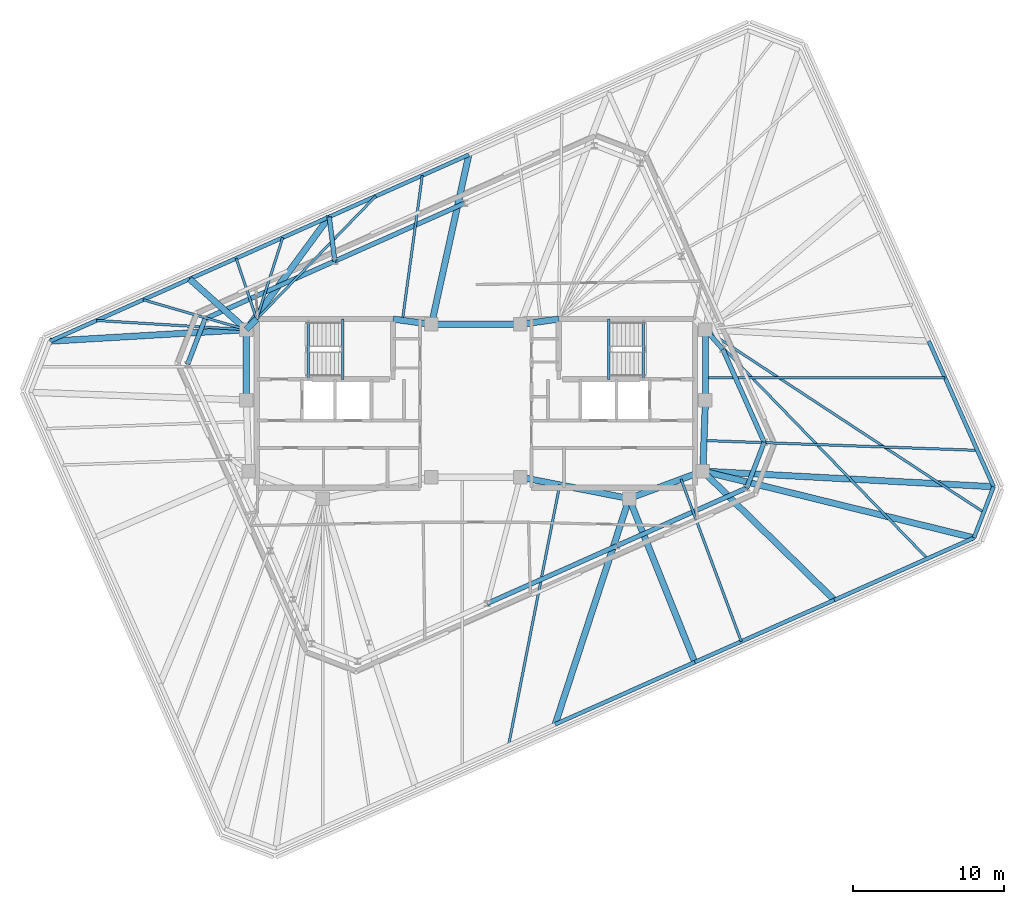
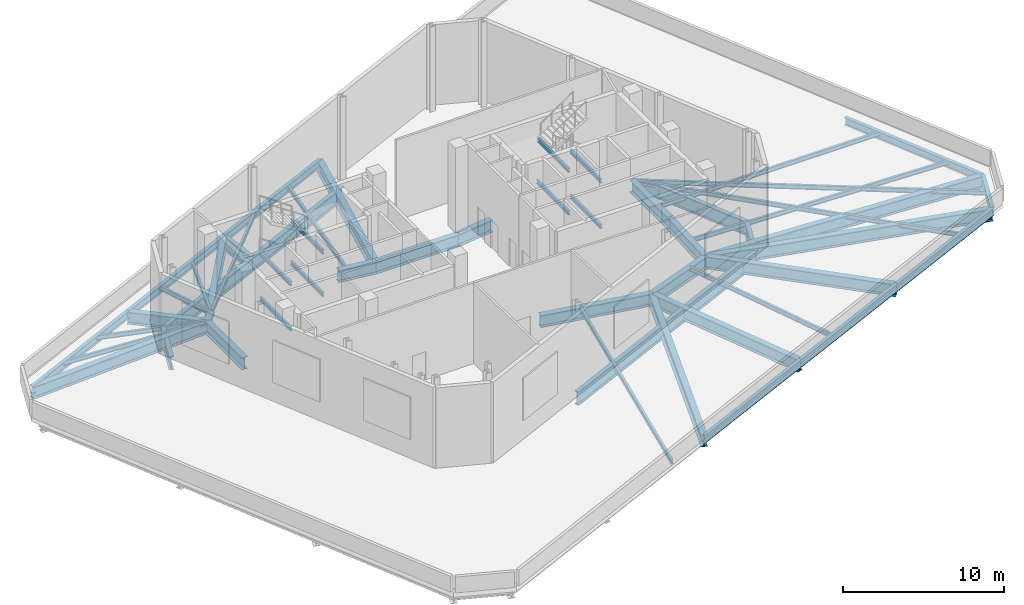
# One storey, part 5 of 10: 55 beams.
"""IFC4 building model written with IfcOpenShell, lengths in metres."""

from ifc_helpers import new_model, si_unit, direction, frame, origin, origin_2d, place, context, subcontext, project, spatial, i_section, extrude, material, material_profile, profile_set, type_object, element, save


model = new_model("IFC4")

# Units and contexts
model_context = context("Model", 3, precision=1e-05, world=origin(), true_north=direction((0.0, 1.0)))
body_context = subcontext(model_context, "Body", "Model", "MODEL_VIEW")
ifc_project = project(units=[si_unit("LENGTHUNIT", "METRE"), si_unit("AREAUNIT", "SQUARE_METRE"), si_unit("VOLUMEUNIT", "CUBIC_METRE"), si_unit("PLANEANGLEUNIT", "RADIAN"), si_unit("MASSUNIT", "GRAM", prefix="KILO")], contexts=[model_context])

# Site, building, storey
site_placement = place(None, origin())
site = spatial("IfcSite", under=ifc_project, at=site_placement, CompositionType="ELEMENT")
building_placement = place(site_placement, origin())
building = spatial("IfcBuilding", under=site, at=building_placement, Name="Menara Jurai Vektor", CompositionType="ELEMENT")
storey_placement = place(building_placement, frame((0.0, 0.0, 305.550048828125)))
storey = spatial("IfcBuildingStorey", under=building, at=storey_placement, Name="L82", CompositionType="ELEMENT", Elevation=305.550048828125)

# Beams
ifc_material_1 = material(Name="Steel S460", Category="steel")
ifc_material_profile_1 = material_profile(ifc_material_1, i_section(OverallWidth=0.30908203125, OverallDepth=1.035888671875, WebThickness=0.030029296875, FlangeThickness=0.053955078125, FilletRadius=0.030029296875, at=origin_2d()), Name="UKB 1016x305x487")
ifc_profile_set_1 = profile_set([ifc_material_profile_1], Name="Steel S460")
beam_type_1 = type_object("IfcBeamType", Name="STR-BM-TR1016", PredefinedType="BEAM", material=ifc_profile_set_1)
beam_1_placement = place(storey_placement, frame((0.7548828125, -13.2919921875, -0.923095703125), z_axis=(0.913546682407, 0.406733892198, 0.0), x_axis=(-0.406733892198, 0.913546682407, 0.0)))
element("IfcBeam", 1, at=beam_1_placement, inside=storey, type_object=beam_type_1, Name="Drum Base Transfer Ring Girder 02", PredefinedType="BEAM", context=body_context, shape_type="SweptSolid", body=[
    extrude(i_section(OverallWidth=0.30908203125, OverallDepth=1.035888671875, WebThickness=0.030029296875, FlangeThickness=0.053955078125, FilletRadius=0.030029296875, at=origin_2d()), origin(), (0.0, 0.0, 1.0), 9.43359375),
])
beam_2_placement = place(storey_placement, frame((9.372802734375, -9.455078125, -0.923095703125), z_axis=(0.913552017411, 0.406721909276, 0.0), x_axis=(-0.406721909276, 0.913552017411, 0.0)))
element("IfcBeam", 2, at=beam_2_placement, inside=storey, type_object=beam_type_1, Name="Drum Base Transfer Ring Girder 03", PredefinedType="BEAM", context=body_context, shape_type="SweptSolid", body=[
    extrude(i_section(OverallWidth=0.30908203125, OverallDepth=1.035888671875, WebThickness=0.030029296875, FlangeThickness=0.053955078125, FilletRadius=0.030029296875, at=origin_2d()), origin(), (0.0, 0.0, 1.0), 9.43310546875),
])
beam_3_placement = place(storey_placement, frame((17.990478515625, -5.618408203125, -0.923095703125), z_axis=(0.358400601676, 0.933567891863, 0.0), x_axis=(-0.933567891863, 0.358400601676, 0.0)))
element("IfcBeam", 3, at=beam_3_placement, inside=storey, type_object=beam_type_1, Name="Drum Base Transfer Ring Girder 04", PredefinedType="BEAM", context=body_context, shape_type="SweptSolid", body=[
    extrude(i_section(OverallWidth=0.30908203125, OverallDepth=1.035888671875, WebThickness=0.030029296875, FlangeThickness=0.053955078125, FilletRadius=0.030029296875, at=origin_2d()), origin(), (0.0, 0.0, 1.0), 3.252685546875),
])
beam_4_placement = place(storey_placement, frame((19.15625, -2.581787109375, -0.923095703125), z_axis=(-0.406747616829, 0.913540571734, 0.0), x_axis=(-0.913540571734, -0.406747616829, 0.0)))
element("IfcBeam", 4, at=beam_4_placement, inside=storey, type_object=beam_type_1, Name="Drum Base Transfer Ring Girder 05", PredefinedType="BEAM", context=body_context, shape_type="SweptSolid", body=[
    extrude(i_section(OverallWidth=0.30908203125, OverallDepth=1.035888671875, WebThickness=0.030029296875, FlangeThickness=0.053955078125, FilletRadius=0.030029296875, at=origin_2d()), origin(), (0.0, 0.0, 1.0), 6.766845703125),
])
beam_5_placement = place(storey_placement, frame((16.40380859375, 3.60009765625, -0.923095703125), z_axis=(-0.663857997221, 0.747858649429, 0.0), x_axis=(-0.747858649429, -0.663857997221, 0.0)))
element("IfcBeam", 5, at=beam_5_placement, inside=storey, type_object=beam_type_1, Name="Drum Transfer Girder 06", PredefinedType="BEAM", context=body_context, shape_type="SweptSolid", body=[
    extrude(i_section(OverallWidth=0.30908203125, OverallDepth=1.035888671875, WebThickness=0.030029296875, FlangeThickness=0.053955078125, FilletRadius=0.030029296875, at=origin_2d()), origin(), (0.0, 0.0, 1.0), 1.738037109375),
])
beam_6_placement = place(storey_placement, frame((-0.7548828125, 13.2919921875, -0.923095703125), z_axis=(-0.913546682407, -0.406733892198, 0.0), x_axis=(0.406733892198, -0.913546682407, 0.0)))
element("IfcBeam", 6, at=beam_6_placement, inside=storey, type_object=beam_type_1, Name="Drum Base Transfer Ring Girder 10", PredefinedType="BEAM", context=body_context, shape_type="SweptSolid", body=[
    extrude(i_section(OverallWidth=0.30908203125, OverallDepth=1.035888671875, WebThickness=0.030029296875, FlangeThickness=0.053955078125, FilletRadius=0.030029296875, at=origin_2d()), origin(), (0.0, 0.0, 1.0), 9.43359375),
])
beam_7_placement = place(storey_placement, frame((-9.372802734375, 9.455078125, -0.923095703125), z_axis=(-0.913552017411, -0.406721909276, 0.0), x_axis=(0.406721909276, -0.913552017411, 0.0)))
element("IfcBeam", 7, at=beam_7_placement, inside=storey, type_object=beam_type_1, Name="Drum Base Transfer Ring Girder 11", PredefinedType="BEAM", context=body_context, shape_type="SweptSolid", body=[
    extrude(i_section(OverallWidth=0.30908203125, OverallDepth=1.035888671875, WebThickness=0.030029296875, FlangeThickness=0.053955078125, FilletRadius=0.030029296875, at=origin_2d()), origin(), (0.0, 0.0, 1.0), 9.43310546875),
])
beam_8_placement = place(storey_placement, frame((-9.372802734375, 9.455078125, -0.923095703125), z_axis=(-0.12445116912, 0.992225733644, 0.0), x_axis=(-0.992225733644, -0.12445116912, 0.0)))
element("IfcBeam", 8, at=beam_8_placement, inside=storey, type_object=beam_type_1, Name="Drum Transfer Girder 11", PredefinedType="BEAM", context=body_context, shape_type="SweptSolid", body=[
    extrude(i_section(OverallWidth=0.30908203125, OverallDepth=1.035888671875, WebThickness=0.030029296875, FlangeThickness=0.053955078125, FilletRadius=0.030029296875, at=origin_2d()), origin(), (0.0, 0.0, 1.0), 2.958251953125),
])
beam_9_placement = place(storey_placement, frame((-17.990478515625, 5.618408203125, -0.923095703125), z_axis=(-0.358400601676, -0.933567891863, 0.0), x_axis=(0.933567891863, -0.358400601676, 0.0)))
element("IfcBeam", 9, at=beam_9_placement, inside=storey, type_object=beam_type_1, Name="Drum Base Transfer Ring Girder 12", PredefinedType="BEAM", context=body_context, shape_type="SweptSolid", body=[
    extrude(i_section(OverallWidth=0.30908203125, OverallDepth=1.035888671875, WebThickness=0.030029296875, FlangeThickness=0.053955078125, FilletRadius=0.030029296875, at=origin_2d()), origin(), (0.0, 0.0, 1.0), 3.252685546875),
])
ifc_material_profile_2 = material_profile(ifc_material_1, i_section(OverallWidth=0.4208984375, OverallDepth=0.9208984375, WebThickness=0.02099609375, FlangeThickness=0.037109375, FilletRadius=0.02392578125, at=origin_2d()), Name="UKB 914x419x388")
ifc_profile_set_2 = profile_set([ifc_material_profile_2], Name="Steel S460")
beam_type_2 = type_object("IfcBeamType", Name="STR-BM-TR914", PredefinedType="BEAM", material=ifc_profile_set_2)
beam_10_placement = place(storey_placement, frame((-15.25, 4.89990234375, -0.865478515625), z_axis=(0.701871936926, 0.712303154672, 0.0), x_axis=(-0.712303154672, 0.701871936926, 0.0)))
element("IfcBeam", 10, at=beam_10_placement, inside=storey, type_object=beam_type_2, Name="Core Ring Header Girder L82-CHW-N1", PredefinedType="BEAM", context=body_context, shape_type="SweptSolid", body=[
    extrude(i_section(OverallWidth=0.4208984375, OverallDepth=0.9208984375, WebThickness=0.02099609375, FlangeThickness=0.037109375, FilletRadius=0.02392578125, at=origin_2d()), origin(), (0.0, 0.0, 1.0), 0.98291015625),
])
beam_11_placement = place(storey_placement, frame((-5.5, 5.60009765625, -0.865478515625), z_axis=(0.990706818608, -0.136014703483, 0.0), x_axis=(0.136014703483, 0.990706818608, 0.0)))
element("IfcBeam", 11, at=beam_11_placement, inside=storey, type_object=beam_type_2, Name="Core Ring Header Girder L82-CHW-N2", PredefinedType="BEAM", context=body_context, shape_type="SweptSolid", body=[
    extrude(i_section(OverallWidth=0.4208984375, OverallDepth=0.9208984375, WebThickness=0.02099609375, FlangeThickness=0.037109375, FilletRadius=0.02392578125, at=origin_2d()), origin(), (0.0, 0.0, 1.0), 2.573974609375),
])
beam_12_placement = place(storey_placement, frame((-15.25, 0.219970703125, -0.865478515625), z_axis=(0.0, 1.0, 0.0), x_axis=(-1.0, 0.0, 0.0)))
element("IfcBeam", 12, at=beam_12_placement, inside=storey, type_object=beam_type_2, Name="Core Ring Header Girder L82-CHW-W1", PredefinedType="BEAM", context=body_context, shape_type="SweptSolid", body=[
    extrude(i_section(OverallWidth=0.4208984375, OverallDepth=0.9208984375, WebThickness=0.02099609375, FlangeThickness=0.037109375, FilletRadius=0.02392578125, at=origin_2d()), origin(), (0.0, 0.0, 1.0), 4.679931640625),
])
beam_13_placement = place(storey_placement, frame((2.949951171875, 5.25, -0.865478515625), z_axis=(0.990706818608, 0.136014703483, 0.0), x_axis=(-0.136014703483, 0.990706818608, 0.0)))
element("IfcBeam", 13, at=beam_13_placement, inside=storey, type_object=beam_type_2, Name="Core Ring Header Girder L82-CHE-N1", PredefinedType="BEAM", context=body_context, shape_type="SweptSolid", body=[
    extrude(i_section(OverallWidth=0.4208984375, OverallDepth=0.9208984375, WebThickness=0.02099609375, FlangeThickness=0.037109375, FilletRadius=0.02392578125, at=origin_2d()), origin(), (0.0, 0.0, 1.0), 2.573974609375),
])
beam_14_placement = place(storey_placement, frame((15.25, 0.219970703125, -0.865478515625), z_axis=(0.0, 1.0, 0.0), x_axis=(-1.0, 0.0, 0.0)))
element("IfcBeam", 14, at=beam_14_placement, inside=storey, type_object=beam_type_2, Name="Core Ring Header Girder L82-CHE-E1", PredefinedType="BEAM", context=body_context, shape_type="SweptSolid", body=[
    extrude(i_section(OverallWidth=0.4208984375, OverallDepth=0.9208984375, WebThickness=0.02099609375, FlangeThickness=0.037109375, FilletRadius=0.02392578125, at=origin_2d()), origin(), (0.0, 0.0, 1.0), 4.679931640625),
])
beam_15_placement = place(storey_placement, frame((15.080078125, -4.5, -0.865478515625), z_axis=(0.035977314146, 0.999352606874, 0.0), x_axis=(-0.999352606874, 0.035977314146, 0.0)))
element("IfcBeam", 15, at=beam_15_placement, inside=storey, type_object=beam_type_2, Name="Core Ring Header Girder L82-CHE-E2", PredefinedType="BEAM", context=body_context, shape_type="SweptSolid", body=[
    extrude(i_section(OverallWidth=0.4208984375, OverallDepth=0.9208984375, WebThickness=0.02099609375, FlangeThickness=0.037109375, FilletRadius=0.02392578125, at=origin_2d()), origin(), (0.0, 0.0, 1.0), 4.72314453125),
])
beam_16_placement = place(storey_placement, frame((10.179931640625, -6.320068359375, -0.865478515625), z_axis=(0.937424400887, 0.348188874925, 0.0), x_axis=(-0.348188874925, 0.937424400887, 0.0)))
element("IfcBeam", 16, at=beam_16_placement, inside=storey, type_object=beam_type_2, Name="Core Ring Header Girder L82-CHE-S1", PredefinedType="BEAM", context=body_context, shape_type="SweptSolid", body=[
    extrude(i_section(OverallWidth=0.4208984375, OverallDepth=0.9208984375, WebThickness=0.02099609375, FlangeThickness=0.037109375, FilletRadius=0.02392578125, at=origin_2d()), origin(), (0.0, 0.0, 1.0), 5.227294921875),
])
beam_17_placement = place(storey_placement, frame((2.949951171875, -4.89990234375, -0.865478515625), z_axis=(0.981249044334, -0.192744164614, 0.0), x_axis=(0.192744164614, 0.981249044334, 0.0)))
element("IfcBeam", 17, at=beam_17_placement, inside=storey, type_object=beam_type_2, Name="Core Ring Header Girder L82-CHE-S2", PredefinedType="BEAM", context=body_context, shape_type="SweptSolid", body=[
    extrude(i_section(OverallWidth=0.4208984375, OverallDepth=0.9208984375, WebThickness=0.02099609375, FlangeThickness=0.037109375, FilletRadius=0.02392578125, at=origin_2d()), origin(), (0.0, 0.0, 1.0), 7.3681640625),
])
beam_18_placement = place(storey_placement, frame((-2.949951171875, 5.25, -0.865478515625), z_axis=(1.0, 0.0, 0.0), x_axis=(0.0, 1.0, 0.0)))
element("IfcBeam", 18, at=beam_18_placement, inside=storey, type_object=beam_type_2, Name="Core Ring Header Girder L82-CC-2", PredefinedType="BEAM", context=body_context, shape_type="SweptSolid", body=[
    extrude(i_section(OverallWidth=0.4208984375, OverallDepth=0.9208984375, WebThickness=0.02099609375, FlangeThickness=0.037109375, FilletRadius=0.02392578125, at=origin_2d()), origin(), (0.0, 0.0, 1.0), 5.89990234375),
])
beam_19_placement = place(storey_placement, frame((5.267578125, -21.3193359375, -0.865478515625), z_axis=(0.311239486704, 0.950331511587, 0.0), x_axis=(-0.950331511587, 0.311239486704, 0.0)))
element("IfcBeam", 19, at=beam_19_placement, inside=storey, type_object=beam_type_2, Name="Drum Transfer Girder L82-S3", PredefinedType="BEAM", context=body_context, shape_type="SweptSolid", body=[
    extrude(i_section(OverallWidth=0.4208984375, OverallDepth=0.9208984375, WebThickness=0.02099609375, FlangeThickness=0.037109375, FilletRadius=0.02392578125, at=origin_2d()), origin(), (0.0, 0.0, 1.0), 15.783203125),
])
beam_20_placement = place(storey_placement, frame((14.541015625, -17.1904296875, -0.865478515625), z_axis=(-0.372342852726, 0.928095253745, 0.0), x_axis=(-0.928095253745, -0.372342852726, 0.0)))
element("IfcBeam", 20, at=beam_20_placement, inside=storey, type_object=beam_type_2, Name="Drum Transfer Girder L82-S4", PredefinedType="BEAM", context=body_context, shape_type="SweptSolid", body=[
    extrude(i_section(OverallWidth=0.4208984375, OverallDepth=0.9208984375, WebThickness=0.02099609375, FlangeThickness=0.037109375, FilletRadius=0.02392578125, at=origin_2d()), origin(), (0.0, 0.0, 1.0), 11.712646484375),
])
beam_21_placement = place(storey_placement, frame((23.814697265625, -13.061767578125, -0.865478515625), z_axis=(-0.714137598149, 0.70000535063, 0.0), x_axis=(-0.70000535063, -0.714137598149, 0.0)))
element("IfcBeam", 21, at=beam_21_placement, inside=storey, type_object=beam_type_2, Name="Drum Transfer Girder L82-S5", PredefinedType="BEAM", context=body_context, shape_type="SweptSolid", body=[
    extrude(i_section(OverallWidth=0.4208984375, OverallDepth=0.9208984375, WebThickness=0.02099609375, FlangeThickness=0.037109375, FilletRadius=0.02392578125, at=origin_2d()), origin(), (0.0, 0.0, 1.0), 12.23095703125),
])
beam_22_placement = place(storey_placement, frame((33.088134765625, -8.932861328125, -0.865478515625), z_axis=(-0.971013515776, 0.239024584888, 0.0), x_axis=(-0.239024584888, -0.971013515776, 0.0)))
element("IfcBeam", 22, at=beam_22_placement, inside=storey, type_object=beam_type_2, Name="Drum Transfer Girder L82-S6", PredefinedType="BEAM", context=body_context, shape_type="SweptSolid", body=[
    extrude(i_section(OverallWidth=0.4208984375, OverallDepth=0.9208984375, WebThickness=0.02099609375, FlangeThickness=0.037109375, FilletRadius=0.02392578125, at=origin_2d()), origin(), (0.0, 0.0, 1.0), 18.545654296875),
])
beam_23_placement = place(storey_placement, frame((34.3916015625, -5.536865234375, -0.865478515625), z_axis=(-0.998561718759, 0.053614306189, 0.0), x_axis=(-0.053614306189, -0.998561718759, 0.0)))
element("IfcBeam", 23, at=beam_23_placement, inside=storey, type_object=beam_type_2, Name="Drum Transfer Girder L82-E1", PredefinedType="BEAM", context=body_context, shape_type="SweptSolid", body=[
    extrude(i_section(OverallWidth=0.4208984375, OverallDepth=0.9208984375, WebThickness=0.02099609375, FlangeThickness=0.037109375, FilletRadius=0.02392578125, at=origin_2d()), origin(), (0.0, 0.0, 1.0), 19.33935546875),
])
beam_24_placement = place(storey_placement, frame((-0.467529296875, 16.519287109375, -0.865478515625), z_axis=(-0.215124522255, -0.976586626943, 0.0), x_axis=(0.976586626943, -0.215124522255, 0.0)))
element("IfcBeam", 24, at=beam_24_placement, inside=storey, type_object=beam_type_2, Name="Drum Transfer Girder L82-N3", PredefinedType="BEAM", context=body_context, shape_type="SweptSolid", body=[
    extrude(i_section(OverallWidth=0.4208984375, OverallDepth=0.9208984375, WebThickness=0.02099609375, FlangeThickness=0.037109375, FilletRadius=0.02392578125, at=origin_2d()), origin(), (0.0, 0.0, 1.0), 11.53955078125),
])
beam_25_placement = place(storey_placement, frame((-9.740966796875, 12.390380859375, -0.865478515625), z_axis=(-0.592483178081, -0.805582822366, 0.0), x_axis=(0.805582822366, -0.592483178081, 0.0)))
element("IfcBeam", 25, at=beam_25_placement, inside=storey, type_object=beam_type_2, Name="Drum Transfer Girder L82-N4", PredefinedType="BEAM", context=body_context, shape_type="SweptSolid", body=[
    extrude(i_section(OverallWidth=0.4208984375, OverallDepth=0.9208984375, WebThickness=0.02099609375, FlangeThickness=0.037109375, FilletRadius=0.02392578125, at=origin_2d()), origin(), (0.0, 0.0, 1.0), 9.298095703125),
])
beam_26_placement = place(storey_placement, frame((-19.0146484375, 8.26171875, -0.865478515625), z_axis=(0.745886163995, -0.666073442167, 0.0), x_axis=(0.666073442167, 0.745886163995, 0.0)))
element("IfcBeam", 26, at=beam_26_placement, inside=storey, type_object=beam_type_2, Name="Drum Transfer Girder L82-N5", PredefinedType="BEAM", context=body_context, shape_type="SweptSolid", body=[
    extrude(i_section(OverallWidth=0.4208984375, OverallDepth=0.9208984375, WebThickness=0.02099609375, FlangeThickness=0.037109375, FilletRadius=0.02392578125, at=origin_2d()), origin(), (0.0, 0.0, 1.0), 5.047119140625),
])
beam_27_placement = place(storey_placement, frame((-28.2880859375, 4.1328125, -0.865478515625), z_axis=(0.998273728533, 0.058732979834, 0.0), x_axis=(-0.058732979834, 0.998273728533, 0.0)))
element("IfcBeam", 27, at=beam_27_placement, inside=storey, type_object=beam_type_2, Name="Drum Transfer Girder L82-N6", PredefinedType="BEAM", context=body_context, shape_type="SweptSolid", body=[
    extrude(i_section(OverallWidth=0.4208984375, OverallDepth=0.9208984375, WebThickness=0.02099609375, FlangeThickness=0.037109375, FilletRadius=0.02392578125, at=origin_2d()), origin(), (0.0, 0.0, 1.0), 13.060546875),
])
ifc_material_2 = material(Name="Steel S355", Category="steel")
ifc_material_profile_3 = material_profile(ifc_material_2, i_section(OverallWidth=0.1650390625, OverallDepth=0.330078125, WebThickness=0.009033203125, FlangeThickness=0.013916015625, at=origin_2d()), Name="PG 330x165x46")
ifc_profile_set_3 = profile_set([ifc_material_profile_3], Name="Steel S355")
beam_type_3 = type_object("IfcBeamType", Name="STR-JS-330", PredefinedType="JOIST", material=ifc_profile_set_3)
beam_28_placement = place(storey_placement, frame((2.176513671875, -22.695556640625, -0.570068359375), z_axis=(0.192710503651, 0.981255655669, 0.0), x_axis=(-0.981255655669, 0.192710503651, 0.0)))
element("IfcBeam", 28, at=beam_28_placement, inside=storey, type_object=beam_type_3, Name="Radial Secondary Floor Joist L82-JS04", PredefinedType="JOIST", context=body_context, shape_type="SweptSolid", body=[
    extrude(i_section(OverallWidth=0.1650390625, OverallDepth=0.330078125, WebThickness=0.009033203125, FlangeThickness=0.013916015625, at=origin_2d()), origin(), (0.0, 0.0, 1.0), 17.61083984375),
])
beam_29_placement = place(storey_placement, frame((17.632080078125, -15.814208984375, -0.570068359375), z_axis=(-0.348172664726, 0.937430421705, 0.0), x_axis=(-0.937430421705, -0.348172664726, 0.0)))
element("IfcBeam", 29, at=beam_29_placement, inside=storey, type_object=beam_type_3, Name="Radial Secondary Floor Joist L82-JS05", PredefinedType="JOIST", context=body_context, shape_type="SweptSolid", body=[
    extrude(i_section(OverallWidth=0.1650390625, OverallDepth=0.330078125, WebThickness=0.009033203125, FlangeThickness=0.013916015625, at=origin_2d()), origin(), (0.0, 0.0, 1.0), 11.494873046875),
])
beam_30_placement = place(storey_placement, frame((29.996826171875, -10.30908203125, -0.570068359375), z_axis=(-0.696114697983, 0.717930586653, 0.0), x_axis=(-0.717930586653, -0.696114697983, 0.0)))
element("IfcBeam", 30, at=beam_30_placement, inside=storey, type_object=beam_type_3, Name="Radial Secondary Floor Joist L82-JS06", PredefinedType="JOIST", context=body_context, shape_type="SweptSolid", body=[
    extrude(i_section(OverallWidth=0.1650390625, OverallDepth=0.330078125, WebThickness=0.009033203125, FlangeThickness=0.013916015625, at=origin_2d()), origin(), (0.0, 0.0, 1.0), 21.1845703125),
])
beam_31_placement = place(storey_placement, frame((33.739990234375, -7.23486328125, -0.570068359375), z_axis=(-0.836033194478, 0.54867886576, 0.0), x_axis=(-0.54867886576, -0.836033194478, 0.0)))
element("IfcBeam", 31, at=beam_31_placement, inside=storey, type_object=beam_type_3, Name="Radial Secondary Floor Joist L82-JS07", PredefinedType="JOIST", context=body_context, shape_type="SweptSolid", body=[
    extrude(i_section(OverallWidth=0.1650390625, OverallDepth=0.330078125, WebThickness=0.009033203125, FlangeThickness=0.013916015625, at=origin_2d()), origin(), (0.0, 0.0, 1.0), 22.116455078125),
])
beam_32_placement = place(storey_placement, frame((33.315185546875, -3.119384765625, -0.570068359375), z_axis=(-0.999351699571, 0.036002507761, 0.0), x_axis=(-0.036002507761, -0.999351699571, 0.0)))
element("IfcBeam", 32, at=beam_32_placement, inside=storey, type_object=beam_type_3, Name="Radial Secondary Floor Joist L82-JS08", PredefinedType="JOIST", context=body_context, shape_type="SweptSolid", body=[
    extrude(i_section(OverallWidth=0.1650390625, OverallDepth=0.330078125, WebThickness=0.009033203125, FlangeThickness=0.013916015625, at=origin_2d()), origin(), (0.0, 0.0, 1.0), 18.173583984375),
])
beam_33_placement = place(storey_placement, frame((31.16259765625, 1.7158203125, -0.570068359375), z_axis=(-1.0, 0.0, 0.0), x_axis=(0.0, -1.0, 0.0)))
element("IfcBeam", 33, at=beam_33_placement, inside=storey, type_object=beam_type_3, Name="Radial Secondary Floor Joist L82-JS09", PredefinedType="JOIST", context=body_context, shape_type="SweptSolid", body=[
    extrude(i_section(OverallWidth=0.1650390625, OverallDepth=0.330078125, WebThickness=0.009033203125, FlangeThickness=0.013916015625, at=origin_2d()), origin(), (0.0, 0.0, 1.0), 15.91259765625),
])
beam_34_placement = place(storey_placement, frame((-3.55859375, 15.14306640625, -0.570068359375), z_axis=(-0.135981954601, -0.990711314169, 0.0), x_axis=(0.990711314169, -0.135981954601, 0.0)))
element("IfcBeam", 34, at=beam_34_placement, inside=storey, type_object=beam_type_3, Name="Radial Secondary Floor Joist L82-JS19", PredefinedType="JOIST", context=body_context, shape_type="SweptSolid", body=[
    extrude(i_section(OverallWidth=0.1650390625, OverallDepth=0.330078125, WebThickness=0.009033203125, FlangeThickness=0.013916015625, at=origin_2d()), origin(), (0.0, 0.0, 1.0), 9.718505859375),
])
beam_35_placement = place(storey_placement, frame((-6.64990234375, 13.766845703125, -0.570068359375), z_axis=(-0.695732556791, -0.718300918433, 0.0), x_axis=(0.718300918433, -0.695732556791, 0.0)))
element("IfcBeam", 35, at=beam_35_placement, inside=storey, type_object=beam_type_3, Name="Radial Secondary Floor Joist L82-JS20", PredefinedType="JOIST", context=body_context, shape_type="SweptSolid", body=[
    extrude(i_section(OverallWidth=0.1650390625, OverallDepth=0.330078125, WebThickness=0.009033203125, FlangeThickness=0.013916015625, at=origin_2d()), origin(), (0.0, 0.0, 1.0), 11.36962890625),
])
beam_36_placement = place(storey_placement, frame((-12.832275390625, 11.01416015625, -0.570068359375), z_axis=(-0.304022753529, -0.952664770702, 0.0), x_axis=(0.952664770702, -0.304022753529, 0.0)))
element("IfcBeam", 36, at=beam_36_placement, inside=storey, type_object=beam_type_3, Name="Radial Secondary Floor Joist L82-JS21", PredefinedType="JOIST", context=body_context, shape_type="SweptSolid", body=[
    extrude(i_section(OverallWidth=0.1650390625, OverallDepth=0.330078125, WebThickness=0.009033203125, FlangeThickness=0.013916015625, at=origin_2d()), origin(), (0.0, 0.0, 1.0), 5.68310546875),
])
beam_37_placement = place(storey_placement, frame((-15.92333984375, 9.637939453125, -0.570068359375), z_axis=(0.319885998438, -0.947456040143, 0.0), x_axis=(0.947456040143, 0.319885998438, 0.0)))
element("IfcBeam", 37, at=beam_37_placement, inside=storey, type_object=beam_type_3, Name="Radial Secondary Floor Joist L82-JS22", PredefinedType="JOIST", context=body_context, shape_type="SweptSolid", body=[
    extrude(i_section(OverallWidth=0.1650390625, OverallDepth=0.330078125, WebThickness=0.009033203125, FlangeThickness=0.013916015625, at=origin_2d()), origin(), (0.0, 0.0, 1.0), 4.26171875),
])
beam_38_placement = place(storey_placement, frame((-22.105712890625, 6.885498046875, -0.570068359375), z_axis=(0.960525066064, -0.278193453306, 0.0), x_axis=(0.278193453306, 0.960525066064, 0.0)))
element("IfcBeam", 38, at=beam_38_placement, inside=storey, type_object=beam_type_3, Name="Radial Secondary Floor Joist L82-JS23", PredefinedType="JOIST", context=body_context, shape_type="SweptSolid", body=[
    extrude(i_section(OverallWidth=0.1650390625, OverallDepth=0.330078125, WebThickness=0.009033203125, FlangeThickness=0.013916015625, at=origin_2d()), origin(), (0.0, 0.0, 1.0), 7.137451171875),
])
beam_39_placement = place(storey_placement, frame((-25.197021484375, 5.509033203125, -0.570068359375), z_axis=(0.998130240593, -0.061123013776, 0.0), x_axis=(0.061123013776, 0.998130240593, 0.0)))
element("IfcBeam", 39, at=beam_39_placement, inside=storey, type_object=beam_type_3, Name="Radial Secondary Floor Joist L82-JS24", PredefinedType="JOIST", context=body_context, shape_type="SweptSolid", body=[
    extrude(i_section(OverallWidth=0.1650390625, OverallDepth=0.330078125, WebThickness=0.009033203125, FlangeThickness=0.013916015625, at=origin_2d()), origin(), (0.0, 0.0, 1.0), 9.965576171875),
])
ifc_material_profile_4 = material_profile(ifc_material_2, i_section(OverallWidth=0.1650390625, OverallDepth=0.302978515625, WebThickness=0.006103515625, FlangeThickness=0.010009765625, FilletRadius=0.009033203125, at=origin_2d()), Name="UKB 305x165x40")
ifc_profile_set_4 = profile_set([ifc_material_profile_4], Name="Steel S355")
beam_type_4 = type_object("IfcBeamType", Name="STR-LN-305", PredefinedType="LINTEL", material=ifc_profile_set_4)
beam_40_placement = place(storey_placement, frame((-11.1201171875, 1.60009765625, -0.556640625), z_axis=(0.0, 1.0, 0.0), x_axis=(-1.0, 0.0, 0.0)))
element("IfcBeam", 40, at=beam_40_placement, inside=storey, type_object=beam_type_4, Name="Stair Well Floor Trimmer ST1 L82", PredefinedType="LINTEL", context=body_context, shape_type="SweptSolid", body=[
    extrude(i_section(OverallWidth=0.1650390625, OverallDepth=0.302978515625, WebThickness=0.006103515625, FlangeThickness=0.010009765625, FilletRadius=0.009033203125, at=origin_2d()), origin(), (0.0, 0.0, 1.0), 3.81982421875),
])
beam_41_placement = place(storey_placement, frame((-8.830078125, 1.60009765625, 1.260986328125), z_axis=(0.0, 1.0, 0.0), x_axis=(-1.0, 0.0, 0.0)))
element("IfcBeam", 41, at=beam_41_placement, inside=storey, type_object=beam_type_4, Name="Stair Half-Landing Nosing Trimmer ST1-1 L82", PredefinedType="LINTEL", context=body_context, shape_type="SweptSolid", body=[
    extrude(i_section(OverallWidth=0.1650390625, OverallDepth=0.302978515625, WebThickness=0.006103515625, FlangeThickness=0.010009765625, FilletRadius=0.009033203125, at=origin_2d()), origin(), (0.0, 0.0, 1.0), 4.0),
])
beam_42_placement = place(storey_placement, frame((-11.1201171875, 1.60009765625, 2.87353515625), z_axis=(0.0, 1.0, 0.0), x_axis=(-1.0, 0.0, 0.0)))
element("IfcBeam", 42, at=beam_42_placement, inside=storey, type_object=beam_type_4, Name="Stair Mid-Landing Trimmer ST1-MA L82", PredefinedType="LINTEL", context=body_context, shape_type="SweptSolid", body=[
    extrude(i_section(OverallWidth=0.1650390625, OverallDepth=0.302978515625, WebThickness=0.006103515625, FlangeThickness=0.010009765625, FilletRadius=0.009033203125, at=origin_2d()), origin(), (0.0, 0.0, 1.0), 3.81982421875),
])
beam_43_placement = place(storey_placement, frame((-8.830078125, 1.60009765625, 4.48583984375), z_axis=(0.0, 1.0, 0.0), x_axis=(-1.0, 0.0, 0.0)))
element("IfcBeam", 43, at=beam_43_placement, inside=storey, type_object=beam_type_4, Name="Stair Half-Landing Nosing Trimmer ST1-2 L82", PredefinedType="LINTEL", context=body_context, shape_type="SweptSolid", body=[
    extrude(i_section(OverallWidth=0.1650390625, OverallDepth=0.302978515625, WebThickness=0.006103515625, FlangeThickness=0.010009765625, FilletRadius=0.009033203125, at=origin_2d()), origin(), (0.0, 0.0, 1.0), 4.0),
])
beam_44_placement = place(storey_placement, frame((11.1201171875, 1.60009765625, -0.556640625), z_axis=(0.0, 1.0, 0.0), x_axis=(-1.0, 0.0, 0.0)))
element("IfcBeam", 44, at=beam_44_placement, inside=storey, type_object=beam_type_4, Name="Stair Well Floor Trimmer ST2 L82", PredefinedType="LINTEL", context=body_context, shape_type="SweptSolid", body=[
    extrude(i_section(OverallWidth=0.1650390625, OverallDepth=0.302978515625, WebThickness=0.006103515625, FlangeThickness=0.010009765625, FilletRadius=0.009033203125, at=origin_2d()), origin(), (0.0, 0.0, 1.0), 3.81982421875),
])
beam_45_placement = place(storey_placement, frame((8.830078125, 1.60009765625, 1.260986328125), z_axis=(0.0, 1.0, 0.0), x_axis=(-1.0, 0.0, 0.0)))
element("IfcBeam", 45, at=beam_45_placement, inside=storey, type_object=beam_type_4, Name="Stair Half-Landing Nosing Trimmer ST2-1 L82", PredefinedType="LINTEL", context=body_context, shape_type="SweptSolid", body=[
    extrude(i_section(OverallWidth=0.1650390625, OverallDepth=0.302978515625, WebThickness=0.006103515625, FlangeThickness=0.010009765625, FilletRadius=0.009033203125, at=origin_2d()), origin(), (0.0, 0.0, 1.0), 4.0),
])
beam_46_placement = place(storey_placement, frame((11.1201171875, 1.60009765625, 2.87353515625), z_axis=(0.0, 1.0, 0.0), x_axis=(-1.0, 0.0, 0.0)))
element("IfcBeam", 46, at=beam_46_placement, inside=storey, type_object=beam_type_4, Name="Stair Mid-Landing Trimmer ST2-MA L82", PredefinedType="LINTEL", context=body_context, shape_type="SweptSolid", body=[
    extrude(i_section(OverallWidth=0.1650390625, OverallDepth=0.302978515625, WebThickness=0.006103515625, FlangeThickness=0.010009765625, FilletRadius=0.009033203125, at=origin_2d()), origin(), (0.0, 0.0, 1.0), 3.81982421875),
])
beam_47_placement = place(storey_placement, frame((8.830078125, 1.60009765625, 4.48583984375), z_axis=(0.0, 1.0, 0.0), x_axis=(-1.0, 0.0, 0.0)))
element("IfcBeam", 47, at=beam_47_placement, inside=storey, type_object=beam_type_4, Name="Stair Half-Landing Nosing Trimmer ST2-2 L82", PredefinedType="LINTEL", context=body_context, shape_type="SweptSolid", body=[
    extrude(i_section(OverallWidth=0.1650390625, OverallDepth=0.302978515625, WebThickness=0.006103515625, FlangeThickness=0.010009765625, FilletRadius=0.009033203125, at=origin_2d()), origin(), (0.0, 0.0, 1.0), 4.0),
])
ifc_material_profile_5 = material_profile(ifc_material_2, i_section(OverallWidth=0.260009765625, OverallDepth=0.570068359375, WebThickness=0.013916015625, FlangeThickness=0.02392578125, at=origin_2d()), Name="PG 570x260x145")
ifc_profile_set_5 = profile_set([ifc_material_profile_5], Name="Steel S355")
beam_type_5 = type_object("IfcBeamType", Name="STR-SP-570", PredefinedType="SPANDREL", material=ifc_profile_set_5)
for number, where, z_axis, x_axis, name in (
    (48, (5.267578125, -21.3193359375, -0.68994140625), (0.913541582548, 0.406745346568, 0.0), (-0.406745346568, 0.913541582548, 0.0), "Main Roof Perimeter Spandrel L82-03"),
    (49, (14.541015625, -17.1904296875, -0.68994140625), (0.913554497648, 0.406716338284, 0.0), (-0.406716338284, 0.913554497648, 0.0), "Main Roof Perimeter Spandrel L82-04"),
    (50, (23.814697265625, -13.061767578125, -0.68994140625), (0.913541582548, 0.406745346568, 0.0), (-0.406745346568, 0.913541582548, 0.0), "Main Roof Perimeter Spandrel L82-05"),
):
    element("IfcBeam", number, at=place(storey_placement, frame(where, z_axis=z_axis, x_axis=x_axis)), inside=storey, type_object=beam_type_5, Name=name, PredefinedType="SPANDREL", context=body_context, shape_type="SweptSolid", body=[
        extrude(i_section(OverallWidth=0.260009765625, OverallDepth=0.570068359375, WebThickness=0.013916015625, FlangeThickness=0.02392578125, at=origin_2d()), origin(), (0.0, 0.0, 1.0), 10.151123046875),
    ])
beam_48_placement = place(storey_placement, frame((33.088134765625, -8.932861328125, -0.68994140625), z_axis=(0.358335850414, 0.933592747566, 0.0), x_axis=(-0.933592747566, 0.358335850414, 0.0)))
element("IfcBeam", 51, at=beam_48_placement, inside=storey, type_object=beam_type_5, Name="Main Roof Perimeter Spandrel L82-06", PredefinedType="SPANDREL", context=body_context, shape_type="SweptSolid", body=[
    extrude(i_section(OverallWidth=0.260009765625, OverallDepth=0.570068359375, WebThickness=0.013916015625, FlangeThickness=0.02392578125, at=origin_2d()), origin(), (0.0, 0.0, 1.0), 3.637451171875),
])
beam_49_placement = place(storey_placement, frame((34.3916015625, -5.536865234375, -0.68994140625), z_axis=(-0.40673543049, 0.91354599752, 0.0), x_axis=(-0.91354599752, -0.40673543049, 0.0)))
element("IfcBeam", 52, at=beam_49_placement, inside=storey, type_object=beam_type_5, Name="Main Roof Perimeter Spandrel L82-07", PredefinedType="SPANDREL", context=body_context, shape_type="SweptSolid", body=[
    extrude(i_section(OverallWidth=0.260009765625, OverallDepth=0.570068359375, WebThickness=0.013916015625, FlangeThickness=0.02392578125, at=origin_2d()), origin(), (0.0, 0.0, 1.0), 10.585205078125),
])
for number, where, z_axis, x_axis, name in (
    (53, (-0.467529296875, 16.519287109375, -0.68994140625), (-0.913541582548, -0.406745346568, 0.0), (0.406745346568, -0.913541582548, 0.0), "Main Roof Perimeter Spandrel L82-13"),
    (54, (-9.740966796875, 12.390380859375, -0.68994140625), (-0.913554497648, -0.406716338284, 0.0), (0.406716338284, -0.913554497648, 0.0), "Main Roof Perimeter Spandrel L82-14"),
    (55, (-19.0146484375, 8.26171875, -0.68994140625), (-0.913541582548, -0.406745346568, 0.0), (0.406745346568, -0.913541582548, 0.0), "Main Roof Perimeter Spandrel L82-15"),
):
    element("IfcBeam", number, at=place(storey_placement, frame(where, z_axis=z_axis, x_axis=x_axis)), inside=storey, type_object=beam_type_5, Name=name, PredefinedType="SPANDREL", context=body_context, shape_type="SweptSolid", body=[
        extrude(i_section(OverallWidth=0.260009765625, OverallDepth=0.570068359375, WebThickness=0.013916015625, FlangeThickness=0.02392578125, at=origin_2d()), origin(), (0.0, 0.0, 1.0), 10.151123046875),
    ])

save(model, "model.ifc")
